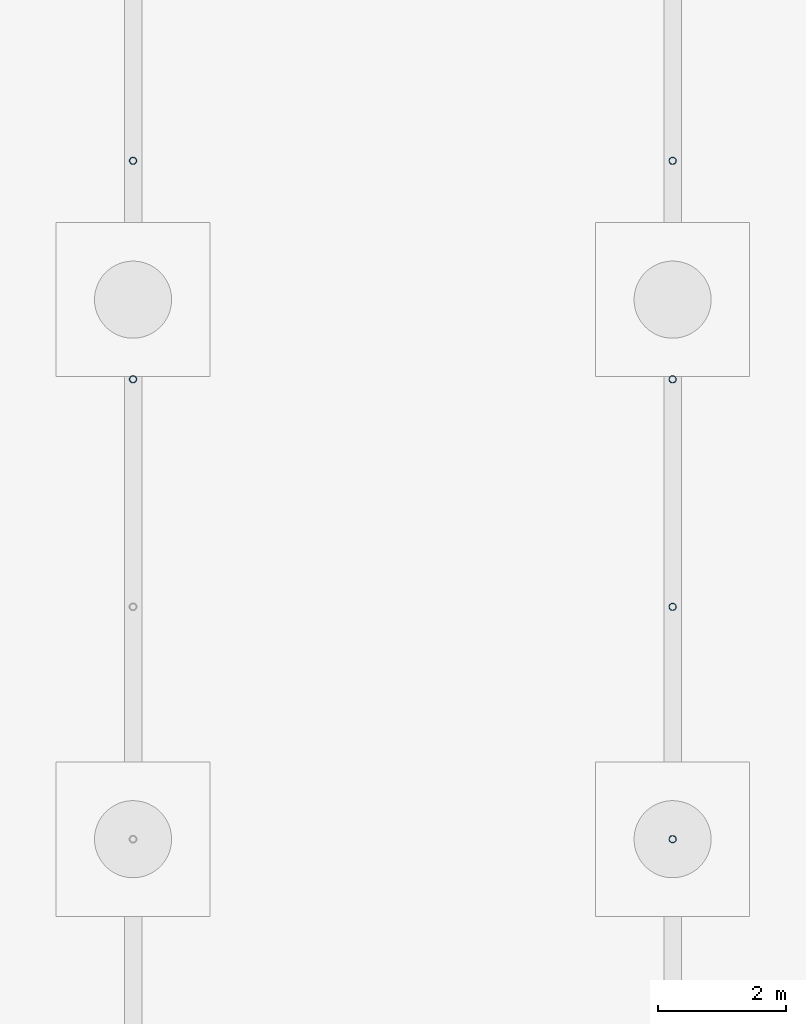
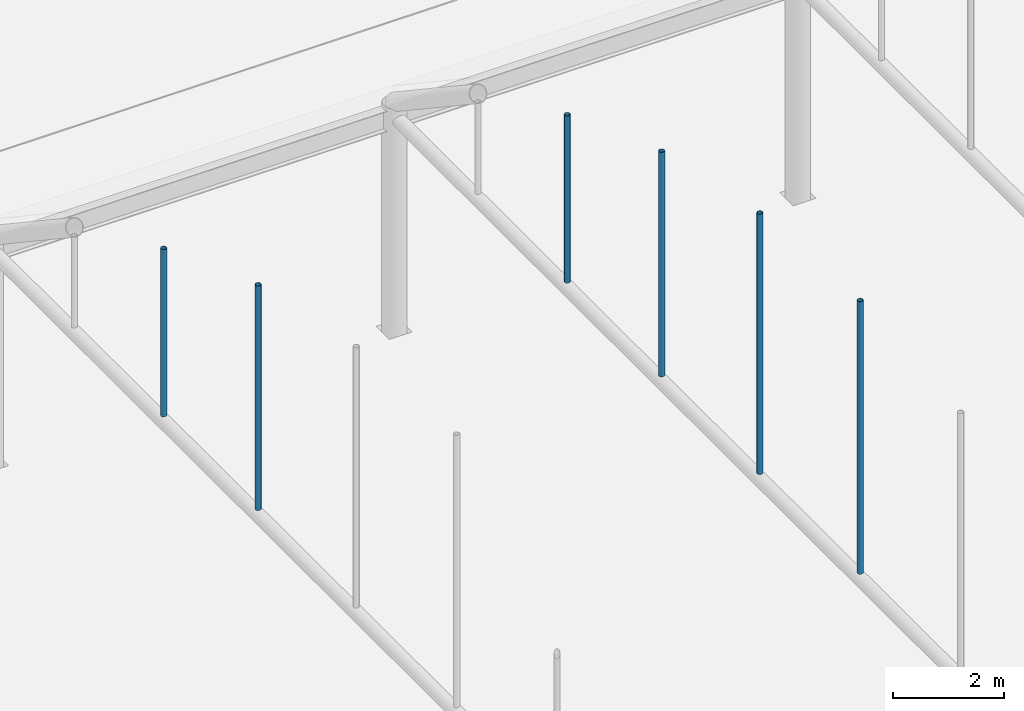
# One storey, part 56 of 212: 6 members.
"""IFC4 building model written with IfcOpenShell, lengths in metres."""

from ifc_helpers import new_model, si_unit, direction, frame, origin, origin_2d, place, context, subcontext, project, spatial, hollow_circle, extrude, material, material_profile, profile_set, type_object, element, save


model = new_model("IFC4")

# Units and contexts
model_context = context("Model", 3, precision=1e-05, world=origin(), true_north=direction((0.0, 1.0)))
body_context = subcontext(model_context, "Body", "Model", "MODEL_VIEW")
ifc_project = project(units=[si_unit("LENGTHUNIT", "METRE"), si_unit("AREAUNIT", "SQUARE_METRE"), si_unit("VOLUMEUNIT", "CUBIC_METRE"), si_unit("PLANEANGLEUNIT", "RADIAN"), si_unit("MASSUNIT", "GRAM", prefix="KILO")], contexts=[model_context])

# Site, building, storey
site_placement = place(None, origin())
site = spatial("IfcSite", under=ifc_project, at=site_placement, CompositionType="ELEMENT")
building_placement = place(site_placement, origin())
building = spatial("IfcBuilding", under=site, at=building_placement, Name="Catenary Quay Ferry Terminal", CompositionType="ELEMENT")
storey_placement = place(building_placement, origin())
storey = spatial("IfcBuildingStorey", under=building, at=storey_placement, Name="L00", CompositionType="ELEMENT", Elevation=0.0)

# Members
ifc_material = material(Name="Steel S355", Category="steel")
ifc_material_profile = material_profile(ifc_material, hollow_circle(Radius=0.05712890625, WallThickness=0.00634765625, at=origin_2d()), Name="CHS 114.3x6.3")
ifc_profile_set = profile_set([ifc_material_profile], Name="Steel S355")
member_type = type_object("IfcMemberType", Name="HG1 CHS 114.3x6.3", PredefinedType="POST", material=ifc_profile_set)
member_1_placement = place(storey_placement, frame((50.39990234375, 40.760009765625, 4.830078125), z_axis=(0.0, 0.0, 1.0), x_axis=(1.0, 0.0, 0.0)))
element("IfcMember", 1, at=member_1_placement, inside=storey, type_object=member_type, Name="Hanger CA-05-07", PredefinedType="POST", context=body_context, shape_type="SweptSolid", body=[
    extrude(hollow_circle(Radius=0.05712890625, WallThickness=0.00634765625, at=origin_2d()), origin(), (0.0, 0.0, 1.0), 4.94287109375),
])
member_2_placement = place(storey_placement, frame((50.39990234375, 44.162109375, 4.830078125), z_axis=(0.0, 0.0, 1.0), x_axis=(1.0, 0.0, 0.0)))
element("IfcMember", 2, at=member_2_placement, inside=storey, type_object=member_type, Name="Hanger CA-05-08", PredefinedType="POST", context=body_context, shape_type="SweptSolid", body=[
    extrude(hollow_circle(Radius=0.05712890625, WallThickness=0.00634765625, at=origin_2d()), origin(), (0.0, 0.0, 1.0), 3.681884765625),
])
member_3_placement = place(storey_placement, frame((58.800048828125, 33.60009765625, 4.830078125), z_axis=(0.0, 0.0, 1.0), x_axis=(1.0, 0.0, 0.0)))
element("IfcMember", 3, at=member_3_placement, inside=storey, type_object=member_type, Name="Hanger CA-06-05", PredefinedType="POST", context=body_context, shape_type="SweptSolid", body=[
    extrude(hollow_circle(Radius=0.05712890625, WallThickness=0.00634765625, at=origin_2d()), origin(), (0.0, 0.0, 1.0), 5.997802734375),
])
member_4_placement = place(storey_placement, frame((58.800048828125, 37.218017578125, 4.830078125), z_axis=(0.0, 0.0, 1.0), x_axis=(1.0, 0.0, 0.0)))
element("IfcMember", 4, at=member_4_placement, inside=storey, type_object=member_type, Name="Hanger CA-06-06", PredefinedType="POST", context=body_context, shape_type="SweptSolid", body=[
    extrude(hollow_circle(Radius=0.05712890625, WallThickness=0.00634765625, at=origin_2d()), origin(), (0.0, 0.0, 1.0), 5.72998046875),
])
member_5_placement = place(storey_placement, frame((58.800048828125, 40.760009765625, 4.830078125), z_axis=(0.0, 0.0, 1.0), x_axis=(1.0, 0.0, 0.0)))
element("IfcMember", 5, at=member_5_placement, inside=storey, type_object=member_type, Name="Hanger CA-06-07", PredefinedType="POST", context=body_context, shape_type="SweptSolid", body=[
    extrude(hollow_circle(Radius=0.05712890625, WallThickness=0.00634765625, at=origin_2d()), origin(), (0.0, 0.0, 1.0), 4.94287109375),
])
member_6_placement = place(storey_placement, frame((58.800048828125, 44.162109375, 4.830078125), z_axis=(0.0, 0.0, 1.0), x_axis=(1.0, 0.0, 0.0)))
element("IfcMember", 6, at=member_6_placement, inside=storey, type_object=member_type, Name="Hanger CA-06-08", PredefinedType="POST", context=body_context, shape_type="SweptSolid", body=[
    extrude(hollow_circle(Radius=0.05712890625, WallThickness=0.00634765625, at=origin_2d()), origin(), (0.0, 0.0, 1.0), 3.681884765625),
])

save(model, "model.ifc")
